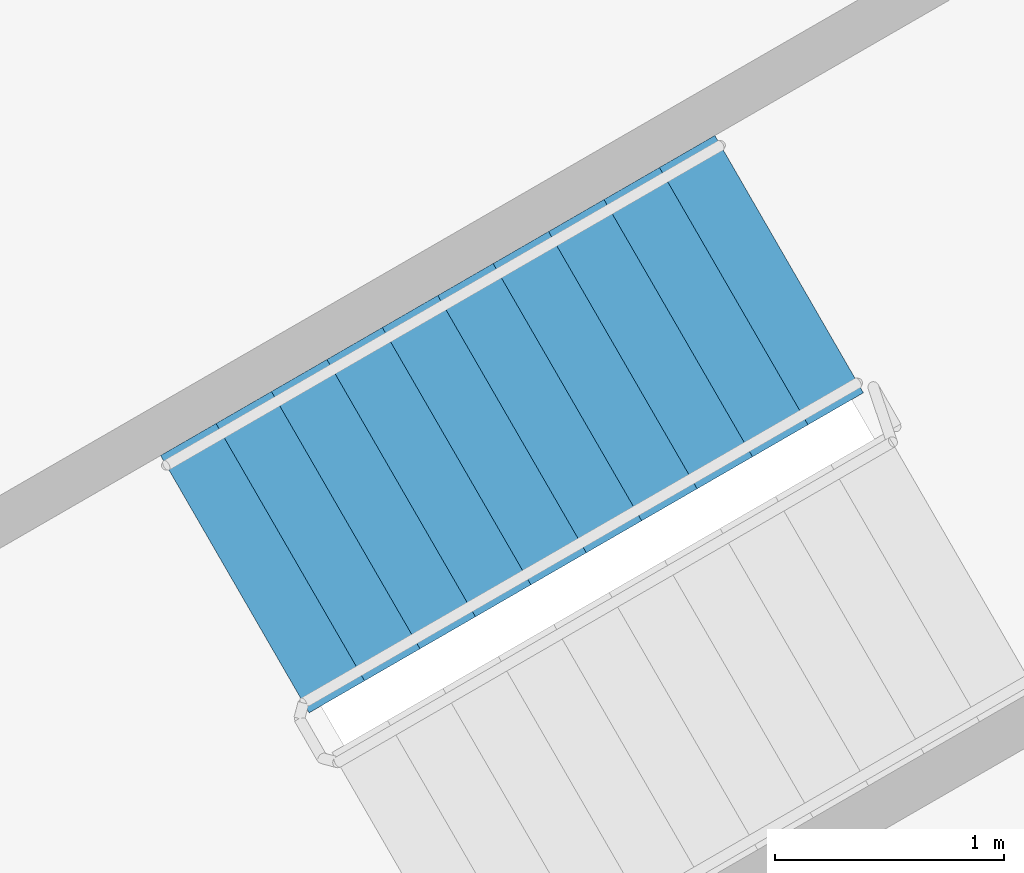
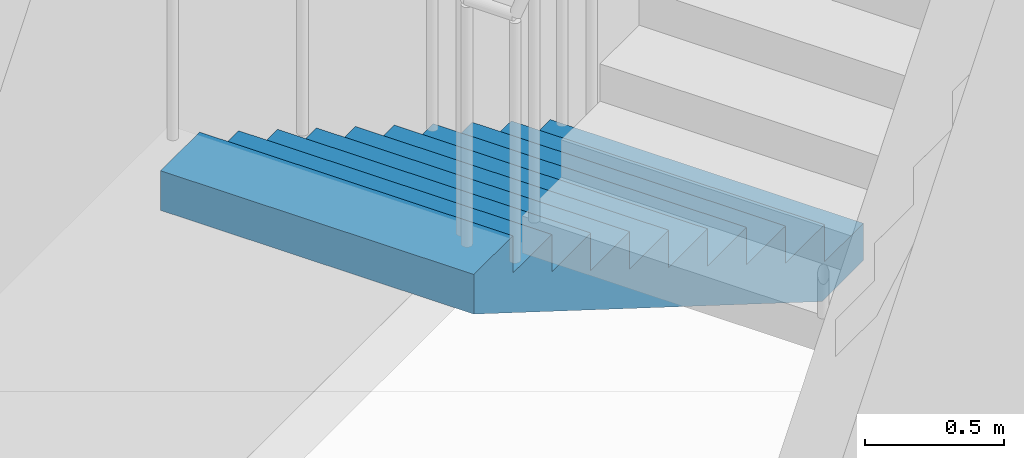
# One storey, part 15 of 17: 1 stair flight, 1 element without a shape of its own.
"""IFC4 building model written with IfcOpenShell, lengths in metres."""

import ifcopenshell
import ifcopenshell.guid

model = None  # the IFC model being written
_history = None  # IfcOwnerHistory: only IFC2X3 demands one
_inside = {}  # id of a spatial element -> (the spatial element, [elements in it])
_under = {}  # id of a project, library or spatial element -> (it, [spatial elements below it])
_declared = {}  # id of a project -> (the project, [libraries it declares])
_typed = {}  # id of a type object -> (the type object, [elements of that type])
_made_of = {}  # id of a material, layer set ... -> (it, [elements and type objects made of it])


def new_model(schema):
    """Start an empty IFC model of exactly this schema.

    Asked for "IFC4X3", IfcOpenShell would pick the latest addendum, in which some entities
    have other attributes; the version numbers below select the first issue.
    IFC2X3 requires an IfcOwnerHistory on every rooted entity: one is made here for all.
    """
    global model, _history
    if schema == "IFC4X3":
        model = ifcopenshell.file(schema_version=(4, 3, 0, 0))
    else:
        model = ifcopenshell.file(schema=schema)
    _inside.clear()
    _under.clear()
    _declared.clear()
    _typed.clear()
    _made_of.clear()
    _history = None
    if model.schema == "IFC2X3":
        org = make("IfcOrganization", Name="unknown")
        user = make(
            "IfcPersonAndOrganization",
            ThePerson=make("IfcPerson", FamilyName="unknown"),
            TheOrganization=org,
        )
        app = make(
            "IfcApplication",
            ApplicationDeveloper=org,
            Version="unknown",
            ApplicationFullName="unknown",
            ApplicationIdentifier="unknown",
        )
        _history = make(
            "IfcOwnerHistory",
            OwningUser=user,
            OwningApplication=app,
            ChangeAction="ADDED",
            CreationDate=0,
        )
    return model


def make(cls, **values):
    """One entity of the class cls with the attributes given. An attribute that is None is left unset."""
    return model.create_entity(
        cls, **{name: value for name, value in values.items() if value is not None}
    )


def rooted(cls, **values):
    """An entity with a GlobalId (a new one), such as an element, a storey or a relation."""
    return make(cls, GlobalId=ifcopenshell.guid.new(), OwnerHistory=_history, **values)


def si_unit(unit_type, name, prefix=None):
    """IfcSIUnit, for example si_unit("LENGTHUNIT", "METRE", prefix="MILLI")."""
    return make("IfcSIUnit", UnitType=unit_type, Prefix=prefix, Name=name)


def assignment(units):
    """IfcUnitAssignment: the units of a project."""
    return None if units is None else make("IfcUnitAssignment", Units=units)


def point(xyz):
    """IfcCartesianPoint."""
    return None if xyz is None else make("IfcCartesianPoint", Coordinates=xyz)


def direction(xyz):
    """IfcDirection."""
    return None if xyz is None else make("IfcDirection", DirectionRatios=xyz)


def frame(location, z_axis=None, x_axis=None):
    """IfcAxis2Placement3D, a coordinate frame: its origin and axes. An axis left out is left unset."""
    return make(
        "IfcAxis2Placement3D",
        Location=point(location),
        Axis=direction(z_axis),
        RefDirection=direction(x_axis),
    )


def origin():
    """The frame at (0, 0, 0) with its axes left unset."""
    return frame((0.0, 0.0, 0.0))


def place(relative_to, where):
    """IfcLocalPlacement: puts the frame where relative to a parent placement (None: the world)."""
    return make(
        "IfcLocalPlacement", PlacementRelTo=relative_to, RelativePlacement=where
    )


def context(
    kind, dimensions, precision=None, world=None, true_north=None, identifier=None
):
    """IfcGeometricRepresentationContext, for example the 3D "Model" context."""
    return make(
        "IfcGeometricRepresentationContext",
        ContextIdentifier=identifier,
        ContextType=kind,
        CoordinateSpaceDimension=dimensions,
        Precision=precision,
        WorldCoordinateSystem=world,
        TrueNorth=true_north,
    )


def subcontext(parent, identifier, kind, view, scale=None):
    """IfcGeometricRepresentationSubContext, for example "Body" below "Model"."""
    return make(
        "IfcGeometricRepresentationSubContext",
        ContextIdentifier=identifier,
        ContextType=kind,
        ParentContext=parent,
        TargetScale=scale,
        TargetView=view,
    )


def project(units=None, contexts=None):
    """IfcProject with its units and contexts."""
    return rooted(
        "IfcProject",
        Name="project",
        RepresentationContexts=contexts,
        UnitsInContext=assignment(units),
    )


def spatial(cls, under=None, at=None, **own):
    """A site, building, storey or space (cls), placed at a placement, below another one or the project."""
    s = rooted(cls, ObjectPlacement=at, **own)
    if under is not None:
        _under.setdefault(under.id(), (under, []))[1].append(s)
    return s


def polyline(points):
    """IfcPolyline through the points."""
    return make("IfcPolyline", Points=[point(p) for p in points])


def outline(outer, holes=None, kind="AREA"):
    """IfcArbitraryClosedProfileDef: a profile drawn as a closed curve; with holes, ...WithVoids."""
    if holes is None:
        return make("IfcArbitraryClosedProfileDef", ProfileType=kind, OuterCurve=outer)
    return make(
        "IfcArbitraryProfileDefWithVoids",
        ProfileType=kind,
        OuterCurve=outer,
        InnerCurves=holes,
    )


def extrude(swept, where, along, depth):
    """IfcExtrudedAreaSolid: the profile swept, set in the frame where, extruded along a direction by depth."""
    return make(
        "IfcExtrudedAreaSolid",
        SweptArea=swept,
        Position=where,
        ExtrudedDirection=direction(along),
        Depth=depth,
    )


def shape(context_of_items, identifier, shape_type, items):
    """IfcShapeRepresentation: the items that make up one representation, for example the "Body"."""
    return make(
        "IfcShapeRepresentation",
        ContextOfItems=context_of_items,
        RepresentationIdentifier=identifier,
        RepresentationType=shape_type,
        Items=items,
    )


def material(Name=None, Category=None):
    """IfcMaterial."""
    return make("IfcMaterial", Name=Name, Category=Category)


def made_of(thing, what):
    """Note that an element or type object is made of a material, layer set ...; save() writes the relation."""
    if what is not None:
        _made_of.setdefault(what.id(), (what, []))[1].append(thing)
    return thing


def type_object(cls, material=None, **own):
    """A type object (cls), such as IfcWallType, which elements share."""
    return made_of(rooted(cls, **own), material)


def element(
    cls,
    number,
    at=None,
    inside=None,
    cuts=None,
    type_object=None,
    material=None,
    context=None,
    identifier="Body",
    shape_type=None,
    held_by="IfcProductDefinitionShape",
    body=None,
    shapes=None,
    **own,
):
    """One element of the class cls, such as IfcWall. Its Tag is "e" and its number.

    at: its placement. inside: the storey or other place that contains it. cuts: it is an
    opening in that element (IfcRelVoidsElement). A single representation is given by context,
    identifier, shape_type and body (its items); several are given by shapes. held_by: the class
    of the entity that holds the representations. save() writes the other relations.
    """
    e = rooted(cls, Tag="e%d" % number, ObjectPlacement=at, **own)
    if body is not None:
        shapes = [shape(context, identifier, shape_type, body)]
    if shapes is not None:
        e.Representation = make(held_by, Representations=shapes)
    if inside is not None:
        _inside.setdefault(inside.id(), (inside, []))[1].append(e)
    if cuts is not None:
        rooted(
            "IfcRelVoidsElement", RelatingBuildingElement=cuts, RelatedOpeningElement=e
        )
    if type_object is not None:
        _typed.setdefault(type_object.id(), (type_object, []))[1].append(e)
    return made_of(e, material)


def aggregate(whole, parts):
    """IfcRelAggregates: a whole, such as a stair, and the parts it consists of."""
    return rooted("IfcRelAggregates", RelatingObject=whole, RelatedObjects=parts)


def save(model, path):
    """Write the relations noted so far, then the file.

    IfcRelAggregates (storeys below a building ...), IfcRelContainedInSpatialStructure (elements
    in a storey), IfcRelDefinesByType, IfcRelAssociatesMaterial and IfcRelDeclares: one each for
    every whole, place, type object, material and project.
    """
    for whole, parts in _under.values():
        aggregate(whole, parts)
    for where, things in _inside.values():
        rooted(
            "IfcRelContainedInSpatialStructure",
            RelatedElements=things,
            RelatingStructure=where,
        )
    for kind, things in _typed.values():
        rooted("IfcRelDefinesByType", RelatedObjects=things, RelatingType=kind)
    for what, things in _made_of.values():
        rooted("IfcRelAssociatesMaterial", RelatedObjects=things, RelatingMaterial=what)
    for by, libraries in _declared.values():
        rooted("IfcRelDeclares", RelatingContext=by, RelatedDefinitions=libraries)
    model.write(path)


model = new_model("IFC4")

# Units and contexts
model_context = context("Model", 3, precision=1e-05, world=origin(), true_north=direction((0.0, 1.0)))
body_context = subcontext(model_context, "Body", "Model", "MODEL_VIEW")
ifc_project = project(units=[si_unit("LENGTHUNIT", "METRE"), si_unit("AREAUNIT", "SQUARE_METRE"), si_unit("VOLUMEUNIT", "CUBIC_METRE"), si_unit("PLANEANGLEUNIT", "RADIAN"), si_unit("MASSUNIT", "GRAM", prefix="KILO")], contexts=[model_context])

# Site, building, storey
site_placement = place(None, origin())
site = spatial("IfcSite", under=ifc_project, at=site_placement, CompositionType="ELEMENT")
building_placement = place(site_placement, origin())
building = spatial("IfcBuilding", under=site, at=building_placement, Name="Verrane Prism Tower", CompositionType="ELEMENT")
storey_placement = place(building_placement, frame((0.0, 0.0, 96.39990234375)))
storey = spatial("IfcBuildingStorey", under=building, at=storey_placement, Name="L22", CompositionType="ELEMENT", Elevation=96.39990234375)

# Stair, stair flight
ifc_material_1 = material(Name="Concrete C40/50", Category="concrete")
stair_type = type_object("IfcStairType", Name="Exit stair 1300 dog-leg precast concrete C40/50", PredefinedType="HALF_TURN_STAIR", material=ifc_material_1)
stair_placement = place(storey_placement, origin())
stair = element("IfcStair", 1, at=stair_placement, inside=storey, type_object=stair_type, Name="Stair 1 L22", PredefinedType="HALF_TURN_STAIR")
ifc_material_2 = material(Name="Concrete C40/50", Category="concrete")
stair_flight_type = type_object("IfcStairFlightType", Name="Stair flight 1300 precast concrete C40/50", PredefinedType="STRAIGHT", material=ifc_material_2)
stair_flight_placement = place(storey_placement, frame((11.489501953125, 7.49951171875, 0.0), z_axis=(0.0, 0.0, 1.0), x_axis=(-0.866025403784, -0.5, 0.0)))
stair_flight = element("IfcStairFlight", 2, at=stair_flight_placement, type_object=stair_flight_type, Name="Stair 1 flight 1", NumberOfRisers=11, NumberOfTreads=10, PredefinedType="STRAIGHT", RiserHeight=0.163636364, TreadLength=0.28, context=body_context, shape_type="SweptSolid", body=[
    extrude(outline(polyline([(0.0, 0.0), (0.0, 0.16357421875), (0.280029296875, 0.16357421875), (0.280029296875, 0.327392578125), (0.56005859375, 0.327392578125), (0.56005859375, 0.490966796875), (0.840087890625, 0.490966796875), (0.840087890625, 0.654541015625), (1.1201171875, 0.654541015625), (1.1201171875, 0.818115234375), (1.39990234375, 0.818115234375), (1.39990234375, 0.98193359375), (1.679931640625, 0.98193359375), (1.679931640625, 1.1455078125), (1.9599609375, 1.1455078125), (1.9599609375, 1.30908203125), (2.239990234375, 1.30908203125), (2.239990234375, 1.47265625), (2.52001953125, 1.47265625), (2.52001953125, 1.636474609375), (2.800048828125, 1.636474609375), (2.800048828125, 1.800048828125), (2.800048828125, 1.462646484375), (0.297119140625, 0.0), (0.0, 0.0)])), frame((0.0, 0.64990234375, 0.0), z_axis=(0.0, -1.0, 0.0), x_axis=(1.0, 0.0, 0.0)), (0.0, 0.0, 1.0), 1.300048828125),
])
aggregate(stair, [stair_flight])

save(model, "model.ifc")
